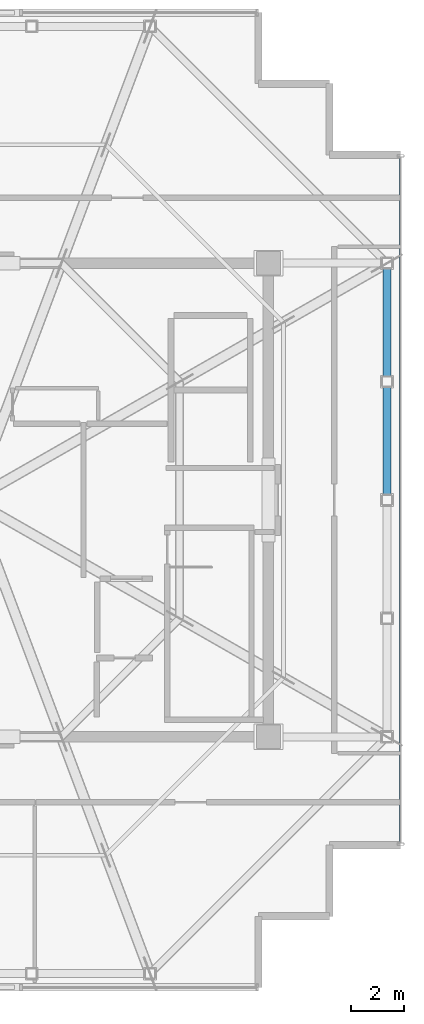
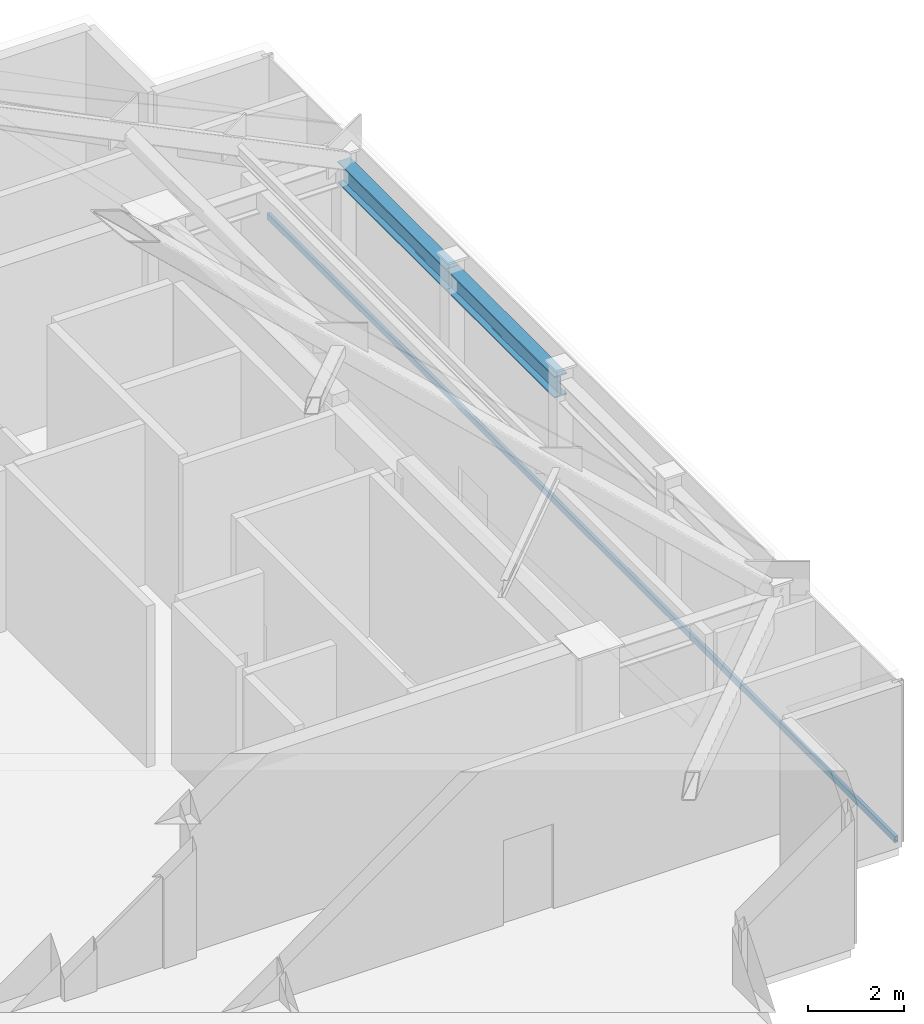
# One storey, part 9 of 17: 2 beams, 1 member, 1 element without a shape of its own.
"""IFC4 building model written with IfcOpenShell, lengths in metres."""

import ifcopenshell
import ifcopenshell.guid

model = None  # the IFC model being written
_history = None  # IfcOwnerHistory: only IFC2X3 demands one
_inside = {}  # id of a spatial element -> (the spatial element, [elements in it])
_under = {}  # id of a project, library or spatial element -> (it, [spatial elements below it])
_declared = {}  # id of a project -> (the project, [libraries it declares])
_typed = {}  # id of a type object -> (the type object, [elements of that type])
_made_of = {}  # id of a material, layer set ... -> (it, [elements and type objects made of it])


def new_model(schema):
    """Start an empty IFC model of exactly this schema.

    Asked for "IFC4X3", IfcOpenShell would pick the latest addendum, in which some entities
    have other attributes; the version numbers below select the first issue.
    IFC2X3 requires an IfcOwnerHistory on every rooted entity: one is made here for all.
    """
    global model, _history
    if schema == "IFC4X3":
        model = ifcopenshell.file(schema_version=(4, 3, 0, 0))
    else:
        model = ifcopenshell.file(schema=schema)
    _inside.clear()
    _under.clear()
    _declared.clear()
    _typed.clear()
    _made_of.clear()
    _history = None
    if model.schema == "IFC2X3":
        org = make("IfcOrganization", Name="unknown")
        user = make(
            "IfcPersonAndOrganization",
            ThePerson=make("IfcPerson", FamilyName="unknown"),
            TheOrganization=org,
        )
        app = make(
            "IfcApplication",
            ApplicationDeveloper=org,
            Version="unknown",
            ApplicationFullName="unknown",
            ApplicationIdentifier="unknown",
        )
        _history = make(
            "IfcOwnerHistory",
            OwningUser=user,
            OwningApplication=app,
            ChangeAction="ADDED",
            CreationDate=0,
        )
    return model


def make(cls, **values):
    """One entity of the class cls with the attributes given. An attribute that is None is left unset."""
    return model.create_entity(
        cls, **{name: value for name, value in values.items() if value is not None}
    )


def rooted(cls, **values):
    """An entity with a GlobalId (a new one), such as an element, a storey or a relation."""
    return make(cls, GlobalId=ifcopenshell.guid.new(), OwnerHistory=_history, **values)


def si_unit(unit_type, name, prefix=None):
    """IfcSIUnit, for example si_unit("LENGTHUNIT", "METRE", prefix="MILLI")."""
    return make("IfcSIUnit", UnitType=unit_type, Prefix=prefix, Name=name)


def assignment(units):
    """IfcUnitAssignment: the units of a project."""
    return None if units is None else make("IfcUnitAssignment", Units=units)


def point(xyz):
    """IfcCartesianPoint."""
    return None if xyz is None else make("IfcCartesianPoint", Coordinates=xyz)


def direction(xyz):
    """IfcDirection."""
    return None if xyz is None else make("IfcDirection", DirectionRatios=xyz)


def frame(location, z_axis=None, x_axis=None):
    """IfcAxis2Placement3D, a coordinate frame: its origin and axes. An axis left out is left unset."""
    return make(
        "IfcAxis2Placement3D",
        Location=point(location),
        Axis=direction(z_axis),
        RefDirection=direction(x_axis),
    )


def frame_2d(location, x_axis=None):
    """IfcAxis2Placement2D, a coordinate frame in the plane: its origin and x axis."""
    return make(
        "IfcAxis2Placement2D", Location=point(location), RefDirection=direction(x_axis)
    )


def origin():
    """The frame at (0, 0, 0) with its axes left unset."""
    return frame((0.0, 0.0, 0.0))


def origin_2d():
    """The frame at (0, 0) in the plane with its x axis left unset."""
    return frame_2d((0.0, 0.0))


def place(relative_to, where):
    """IfcLocalPlacement: puts the frame where relative to a parent placement (None: the world)."""
    return make(
        "IfcLocalPlacement", PlacementRelTo=relative_to, RelativePlacement=where
    )


def context(
    kind, dimensions, precision=None, world=None, true_north=None, identifier=None
):
    """IfcGeometricRepresentationContext, for example the 3D "Model" context."""
    return make(
        "IfcGeometricRepresentationContext",
        ContextIdentifier=identifier,
        ContextType=kind,
        CoordinateSpaceDimension=dimensions,
        Precision=precision,
        WorldCoordinateSystem=world,
        TrueNorth=true_north,
    )


def subcontext(parent, identifier, kind, view, scale=None):
    """IfcGeometricRepresentationSubContext, for example "Body" below "Model"."""
    return make(
        "IfcGeometricRepresentationSubContext",
        ContextIdentifier=identifier,
        ContextType=kind,
        ParentContext=parent,
        TargetScale=scale,
        TargetView=view,
    )


def project(units=None, contexts=None):
    """IfcProject with its units and contexts."""
    return rooted(
        "IfcProject",
        Name="project",
        RepresentationContexts=contexts,
        UnitsInContext=assignment(units),
    )


def spatial(cls, under=None, at=None, **own):
    """A site, building, storey or space (cls), placed at a placement, below another one or the project."""
    s = rooted(cls, ObjectPlacement=at, **own)
    if under is not None:
        _under.setdefault(under.id(), (under, []))[1].append(s)
    return s


def profile(cls, at=None, kind="AREA", **sizes):
    """A parametric profile (cls). Its sizes go by their IFC names, for example OverallWidth=200.0."""
    return make(cls, ProfileType=kind, Position=at, **sizes)


def hollow_rectangle(**sizes):
    """IfcRectangleHollowProfileDef."""
    return profile("IfcRectangleHollowProfileDef", **sizes)


def i_section(**sizes):
    """IfcIShapeProfileDef."""
    return profile("IfcIShapeProfileDef", **sizes)


def extrude(swept, where, along, depth):
    """IfcExtrudedAreaSolid: the profile swept, set in the frame where, extruded along a direction by depth."""
    return make(
        "IfcExtrudedAreaSolid",
        SweptArea=swept,
        Position=where,
        ExtrudedDirection=direction(along),
        Depth=depth,
    )


def shape(context_of_items, identifier, shape_type, items):
    """IfcShapeRepresentation: the items that make up one representation, for example the "Body"."""
    return make(
        "IfcShapeRepresentation",
        ContextOfItems=context_of_items,
        RepresentationIdentifier=identifier,
        RepresentationType=shape_type,
        Items=items,
    )


def source(mapping_origin, context_of_items, identifier, shape_type, items):
    """IfcRepresentationMap: a shape defined once, which mapped items show again and again."""
    return make(
        "IfcRepresentationMap",
        MappingOrigin=mapping_origin,
        MappedRepresentation=shape(context_of_items, identifier, shape_type, items),
    )


def transform(
    local_origin,
    x_axis=None,
    y_axis=None,
    z_axis=None,
    scale=None,
    scale2=None,
    scale3=None,
    uniform=True,
):
    """IfcCartesianTransformationOperator3D, or its non-uniform kind. x_axis, y_axis, z_axis: its Axis1, 2, 3."""
    if uniform:
        return make(
            "IfcCartesianTransformationOperator3D",
            Axis1=direction(x_axis),
            Axis2=direction(y_axis),
            LocalOrigin=point(local_origin),
            Scale=scale,
            Axis3=direction(z_axis),
        )
    return make(
        "IfcCartesianTransformationOperator3DnonUniform",
        Axis1=direction(x_axis),
        Axis2=direction(y_axis),
        LocalOrigin=point(local_origin),
        Scale=scale,
        Axis3=direction(z_axis),
        Scale2=scale2,
        Scale3=scale3,
    )


def mapped(mapping_source, mapping_target):
    """IfcMappedItem: shows the shape of a source again, moved by a transform."""
    return make(
        "IfcMappedItem", MappingSource=mapping_source, MappingTarget=mapping_target
    )


def material(Name=None, Category=None):
    """IfcMaterial."""
    return make("IfcMaterial", Name=Name, Category=Category)


def layer(
    of_material, thickness, ventilated=None, Name=None, Category=None, Priority=None
):
    """IfcMaterialLayer: one layer of a wall or slab, of a material (None: an air gap)."""
    return make(
        "IfcMaterialLayer",
        Material=of_material,
        LayerThickness=thickness,
        IsVentilated=ventilated,
        Name=Name,
        Category=Category,
        Priority=Priority,
    )


def layer_set(layers, Name=None):
    """IfcMaterialLayerSet."""
    return make("IfcMaterialLayerSet", MaterialLayers=layers, LayerSetName=Name)


def material_profile(
    of_material, cross_section, Name=None, Category=None, Priority=None
):
    """IfcMaterialProfile: a cross section and its material."""
    return make(
        "IfcMaterialProfile",
        Name=Name,
        Material=of_material,
        Profile=cross_section,
        Priority=Priority,
        Category=Category,
    )


def profile_set(profiles, Name=None, composite=None):
    """IfcMaterialProfileSet."""
    return make(
        "IfcMaterialProfileSet",
        Name=Name,
        MaterialProfiles=profiles,
        CompositeProfile=composite,
    )


def made_of(thing, what):
    """Note that an element or type object is made of a material, layer set ...; save() writes the relation."""
    if what is not None:
        _made_of.setdefault(what.id(), (what, []))[1].append(thing)
    return thing


def type_object(cls, material=None, **own):
    """A type object (cls), such as IfcWallType, which elements share."""
    return made_of(rooted(cls, **own), material)


def element(
    cls,
    number,
    at=None,
    inside=None,
    cuts=None,
    type_object=None,
    material=None,
    context=None,
    identifier="Body",
    shape_type=None,
    held_by="IfcProductDefinitionShape",
    body=None,
    shapes=None,
    **own,
):
    """One element of the class cls, such as IfcWall. Its Tag is "e" and its number.

    at: its placement. inside: the storey or other place that contains it. cuts: it is an
    opening in that element (IfcRelVoidsElement). A single representation is given by context,
    identifier, shape_type and body (its items); several are given by shapes. held_by: the class
    of the entity that holds the representations. save() writes the other relations.
    """
    e = rooted(cls, Tag="e%d" % number, ObjectPlacement=at, **own)
    if body is not None:
        shapes = [shape(context, identifier, shape_type, body)]
    if shapes is not None:
        e.Representation = make(held_by, Representations=shapes)
    if inside is not None:
        _inside.setdefault(inside.id(), (inside, []))[1].append(e)
    if cuts is not None:
        rooted(
            "IfcRelVoidsElement", RelatingBuildingElement=cuts, RelatedOpeningElement=e
        )
    if type_object is not None:
        _typed.setdefault(type_object.id(), (type_object, []))[1].append(e)
    return made_of(e, material)


def aggregate(whole, parts):
    """IfcRelAggregates: a whole, such as a stair, and the parts it consists of."""
    return rooted("IfcRelAggregates", RelatingObject=whole, RelatedObjects=parts)


def save(model, path):
    """Write the relations noted so far, then the file.

    IfcRelAggregates (storeys below a building ...), IfcRelContainedInSpatialStructure (elements
    in a storey), IfcRelDefinesByType, IfcRelAssociatesMaterial and IfcRelDeclares: one each for
    every whole, place, type object, material and project.
    """
    for whole, parts in _under.values():
        aggregate(whole, parts)
    for where, things in _inside.values():
        rooted(
            "IfcRelContainedInSpatialStructure",
            RelatedElements=things,
            RelatingStructure=where,
        )
    for kind, things in _typed.values():
        rooted("IfcRelDefinesByType", RelatedObjects=things, RelatingType=kind)
    for what, things in _made_of.values():
        rooted("IfcRelAssociatesMaterial", RelatedObjects=things, RelatingMaterial=what)
    for by, libraries in _declared.values():
        rooted("IfcRelDeclares", RelatingContext=by, RelatedDefinitions=libraries)
    model.write(path)


model = new_model("IFC4")

# Units and contexts
model_context = context("Model", 3, precision=1e-05, world=origin(), true_north=direction((0.0, 1.0)))
body_context = subcontext(model_context, "Body", "Model", "MODEL_VIEW")
ifc_project = project(units=[si_unit("LENGTHUNIT", "METRE"), si_unit("AREAUNIT", "SQUARE_METRE"), si_unit("VOLUMEUNIT", "CUBIC_METRE"), si_unit("PLANEANGLEUNIT", "RADIAN"), si_unit("MASSUNIT", "GRAM", prefix="KILO")], contexts=[model_context])

# Site, building, storey
site_placement = place(None, origin())
site = spatial("IfcSite", under=ifc_project, at=site_placement, CompositionType="ELEMENT")
building_placement = place(site_placement, origin())
building = spatial("IfcBuilding", under=site, at=building_placement, Name="Nefas-Gora Pilgrimage Tower", CompositionType="ELEMENT")
storey_placement = place(building_placement, frame((0.0, 0.0, 367.39990234375)))
storey = spatial("IfcBuildingStorey", under=building, at=storey_placement, Name="L92", CompositionType="ELEMENT", Elevation=367.39990234375)

# Beams
ifc_material_1 = material(Name="Steel S355", Category="steel")
ifc_material_profile_1 = material_profile(ifc_material_1, i_section(OverallWidth=0.300048828125, OverallDepth=0.550048828125, WebThickness=0.014892578125, FlangeThickness=0.029052734375, FilletRadius=0.027099609375, at=origin_2d()), Name="HEB 550")
ifc_profile_set_1 = profile_set([ifc_material_profile_1], Name="Steel S355")
beam_type = type_object("IfcBeamType", Name="BM-SPN-HEB400", PredefinedType="SPANDREL", material=ifc_profile_set_1)
shared_shape_1 = source(origin(), body_context, "Body", "SweptSolid", [
    extrude(i_section(OverallWidth=0.300048828125, OverallDepth=0.550048828125, WebThickness=0.014892578125, FlangeThickness=0.029052734375, FilletRadius=0.027099609375, at=origin_2d()), origin(), (0.0, 0.0, 1.0), 4.5),
])
for number, where, z_axis, x_axis, name in (
    (1, (15.75, 0.0, 3.8251953125), (0.0, 1.0, 0.0), (-1.0, 0.0, 0.0), "L92 SP-04 beam"),
    (2, (15.75, 4.5, 3.8251953125), (0.0, 1.0, 0.0), (-1.0, 0.0, 0.0), "L92 SP-04 beam"),
):
    element("IfcBeam", number, at=place(storey_placement, frame(where, z_axis=z_axis, x_axis=x_axis)), inside=storey, type_object=beam_type, Name=name, PredefinedType="SPANDREL", context=body_context, shape_type="MappedRepresentation", body=[
        mapped(shared_shape_1, transform((0.0, 0.0, 0.0), x_axis=(1.0, 0.0, 0.0), y_axis=(0.0, 1.0, 0.0), z_axis=(0.0, 0.0, 1.0), scale=1.0)),
    ])

# Curtain wall, member
ifc_material_2 = material(Name="Dark ceramic-fritted solar-control aluminium-glass curtain wall", Category="aluminium")
ifc_layer = layer(ifc_material_2, 0.219970703125)
ifc_layer_set = layer_set([ifc_layer], Name="Dark ceramic-fritted solar-control aluminium-glass curtain wall")
curtain_wall_type = type_object("IfcCurtainWallType", Name="CW-SYS-6", PredefinedType="NOTDEFINED", material=ifc_layer_set)
curtain_wall_placement = place(storey_placement, origin())
curtain_wall = element("IfcCurtainWall", 3, at=curtain_wall_placement, inside=storey, type_object=curtain_wall_type, Name="L92 Unitised Curtain Wall CW6", PredefinedType="NOTDEFINED")
ifc_material_3 = material(Name="Anodised architectural aluminium", Category="aluminium")
ifc_material_profile_2 = material_profile(ifc_material_3, hollow_rectangle(XDim=0.080078125, YDim=0.159912109375, WallThickness=0.00439453125, InnerFilletRadius=0.00439453125, OuterFilletRadius=0.009033203125, at=origin_2d()), Name="ALU TRANSOM 80x160")
ifc_profile_set_2 = profile_set([ifc_material_profile_2], Name="Anodised architectural aluminium")
member_type = type_object("IfcMemberType", Name="CWM-TRN-6", PredefinedType="USERDEFINED", material=ifc_profile_set_2)
shared_shape_2 = source(origin(), body_context, "Body", "SweptSolid", [
    extrude(hollow_rectangle(XDim=0.080078125, YDim=0.159912109375, WallThickness=0.00439453125, InnerFilletRadius=0.00439453125, OuterFilletRadius=0.009033203125, at=origin_2d()), origin(), (0.0, 0.0, 1.0), 26.06005859375),
])
member_placement = place(storey_placement, frame((16.27001953125, -13.030029296875, 0.050048828125), z_axis=(0.0, 1.0, 0.0), x_axis=(-1.0, 0.0, 0.0)))
member = element("IfcMember", 4, at=member_placement, type_object=member_type, Name="CW6 Spandrel Transom", ObjectType="TRANSOM", PredefinedType="USERDEFINED", context=body_context, shape_type="MappedRepresentation", body=[
    mapped(shared_shape_2, transform((0.0, 0.0, 0.0), x_axis=(1.0, 0.0, 0.0), y_axis=(0.0, 1.0, 0.0), z_axis=(0.0, 0.0, 1.0), scale=1.0)),
])
aggregate(curtain_wall, [member])

save(model, "model.ifc")
